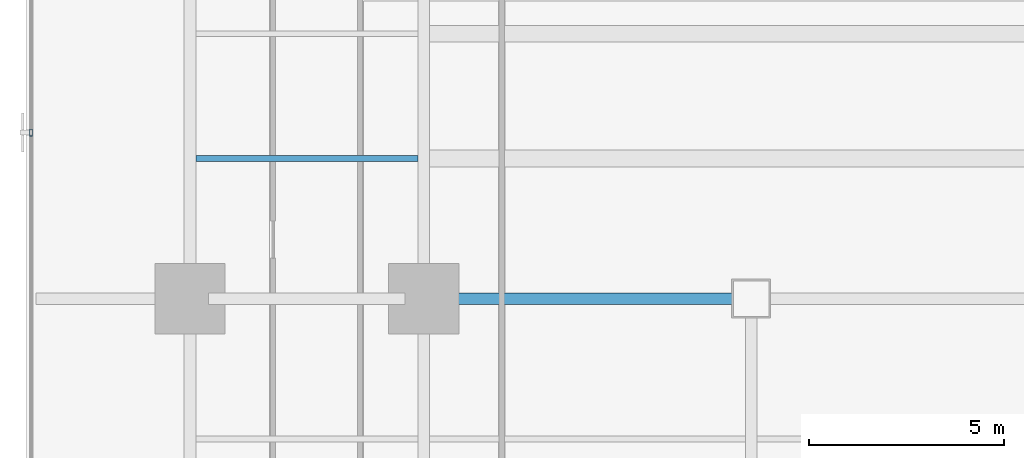
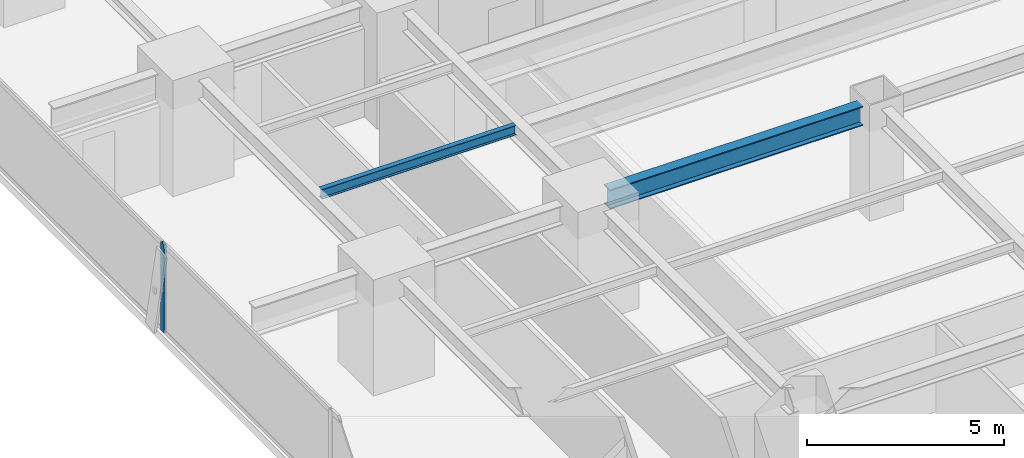
# One storey, part 9 of 34: 2 beams, 1 member, 1 element without a shape of its own.
"""IFC4 building model written with IfcOpenShell, lengths in metres."""

import ifcopenshell
import ifcopenshell.guid

model = None  # the IFC model being written
_history = None  # IfcOwnerHistory: only IFC2X3 demands one
_inside = {}  # id of a spatial element -> (the spatial element, [elements in it])
_under = {}  # id of a project, library or spatial element -> (it, [spatial elements below it])
_declared = {}  # id of a project -> (the project, [libraries it declares])
_typed = {}  # id of a type object -> (the type object, [elements of that type])
_made_of = {}  # id of a material, layer set ... -> (it, [elements and type objects made of it])


def new_model(schema):
    """Start an empty IFC model of exactly this schema.

    Asked for "IFC4X3", IfcOpenShell would pick the latest addendum, in which some entities
    have other attributes; the version numbers below select the first issue.
    IFC2X3 requires an IfcOwnerHistory on every rooted entity: one is made here for all.
    """
    global model, _history
    if schema == "IFC4X3":
        model = ifcopenshell.file(schema_version=(4, 3, 0, 0))
    else:
        model = ifcopenshell.file(schema=schema)
    _inside.clear()
    _under.clear()
    _declared.clear()
    _typed.clear()
    _made_of.clear()
    _history = None
    if model.schema == "IFC2X3":
        org = make("IfcOrganization", Name="unknown")
        user = make(
            "IfcPersonAndOrganization",
            ThePerson=make("IfcPerson", FamilyName="unknown"),
            TheOrganization=org,
        )
        app = make(
            "IfcApplication",
            ApplicationDeveloper=org,
            Version="unknown",
            ApplicationFullName="unknown",
            ApplicationIdentifier="unknown",
        )
        _history = make(
            "IfcOwnerHistory",
            OwningUser=user,
            OwningApplication=app,
            ChangeAction="ADDED",
            CreationDate=0,
        )
    return model


def make(cls, **values):
    """One entity of the class cls with the attributes given. An attribute that is None is left unset."""
    return model.create_entity(
        cls, **{name: value for name, value in values.items() if value is not None}
    )


def rooted(cls, **values):
    """An entity with a GlobalId (a new one), such as an element, a storey or a relation."""
    return make(cls, GlobalId=ifcopenshell.guid.new(), OwnerHistory=_history, **values)


def si_unit(unit_type, name, prefix=None):
    """IfcSIUnit, for example si_unit("LENGTHUNIT", "METRE", prefix="MILLI")."""
    return make("IfcSIUnit", UnitType=unit_type, Prefix=prefix, Name=name)


def assignment(units):
    """IfcUnitAssignment: the units of a project."""
    return None if units is None else make("IfcUnitAssignment", Units=units)


def point(xyz):
    """IfcCartesianPoint."""
    return None if xyz is None else make("IfcCartesianPoint", Coordinates=xyz)


def direction(xyz):
    """IfcDirection."""
    return None if xyz is None else make("IfcDirection", DirectionRatios=xyz)


def frame(location, z_axis=None, x_axis=None):
    """IfcAxis2Placement3D, a coordinate frame: its origin and axes. An axis left out is left unset."""
    return make(
        "IfcAxis2Placement3D",
        Location=point(location),
        Axis=direction(z_axis),
        RefDirection=direction(x_axis),
    )


def frame_2d(location, x_axis=None):
    """IfcAxis2Placement2D, a coordinate frame in the plane: its origin and x axis."""
    return make(
        "IfcAxis2Placement2D", Location=point(location), RefDirection=direction(x_axis)
    )


def origin():
    """The frame at (0, 0, 0) with its axes left unset."""
    return frame((0.0, 0.0, 0.0))


def origin_2d():
    """The frame at (0, 0) in the plane with its x axis left unset."""
    return frame_2d((0.0, 0.0))


def place(relative_to, where):
    """IfcLocalPlacement: puts the frame where relative to a parent placement (None: the world)."""
    return make(
        "IfcLocalPlacement", PlacementRelTo=relative_to, RelativePlacement=where
    )


def context(
    kind, dimensions, precision=None, world=None, true_north=None, identifier=None
):
    """IfcGeometricRepresentationContext, for example the 3D "Model" context."""
    return make(
        "IfcGeometricRepresentationContext",
        ContextIdentifier=identifier,
        ContextType=kind,
        CoordinateSpaceDimension=dimensions,
        Precision=precision,
        WorldCoordinateSystem=world,
        TrueNorth=true_north,
    )


def subcontext(parent, identifier, kind, view, scale=None):
    """IfcGeometricRepresentationSubContext, for example "Body" below "Model"."""
    return make(
        "IfcGeometricRepresentationSubContext",
        ContextIdentifier=identifier,
        ContextType=kind,
        ParentContext=parent,
        TargetScale=scale,
        TargetView=view,
    )


def project(units=None, contexts=None):
    """IfcProject with its units and contexts."""
    return rooted(
        "IfcProject",
        Name="project",
        RepresentationContexts=contexts,
        UnitsInContext=assignment(units),
    )


def spatial(cls, under=None, at=None, **own):
    """A site, building, storey or space (cls), placed at a placement, below another one or the project."""
    s = rooted(cls, ObjectPlacement=at, **own)
    if under is not None:
        _under.setdefault(under.id(), (under, []))[1].append(s)
    return s


def profile(cls, at=None, kind="AREA", **sizes):
    """A parametric profile (cls). Its sizes go by their IFC names, for example OverallWidth=200.0."""
    return make(cls, ProfileType=kind, Position=at, **sizes)


def hollow_rectangle(**sizes):
    """IfcRectangleHollowProfileDef."""
    return profile("IfcRectangleHollowProfileDef", **sizes)


def i_section(**sizes):
    """IfcIShapeProfileDef."""
    return profile("IfcIShapeProfileDef", **sizes)


def extrude(swept, where, along, depth):
    """IfcExtrudedAreaSolid: the profile swept, set in the frame where, extruded along a direction by depth."""
    return make(
        "IfcExtrudedAreaSolid",
        SweptArea=swept,
        Position=where,
        ExtrudedDirection=direction(along),
        Depth=depth,
    )


def shape(context_of_items, identifier, shape_type, items):
    """IfcShapeRepresentation: the items that make up one representation, for example the "Body"."""
    return make(
        "IfcShapeRepresentation",
        ContextOfItems=context_of_items,
        RepresentationIdentifier=identifier,
        RepresentationType=shape_type,
        Items=items,
    )


def source(mapping_origin, context_of_items, identifier, shape_type, items):
    """IfcRepresentationMap: a shape defined once, which mapped items show again and again."""
    return make(
        "IfcRepresentationMap",
        MappingOrigin=mapping_origin,
        MappedRepresentation=shape(context_of_items, identifier, shape_type, items),
    )


def transform(
    local_origin,
    x_axis=None,
    y_axis=None,
    z_axis=None,
    scale=None,
    scale2=None,
    scale3=None,
    uniform=True,
):
    """IfcCartesianTransformationOperator3D, or its non-uniform kind. x_axis, y_axis, z_axis: its Axis1, 2, 3."""
    if uniform:
        return make(
            "IfcCartesianTransformationOperator3D",
            Axis1=direction(x_axis),
            Axis2=direction(y_axis),
            LocalOrigin=point(local_origin),
            Scale=scale,
            Axis3=direction(z_axis),
        )
    return make(
        "IfcCartesianTransformationOperator3DnonUniform",
        Axis1=direction(x_axis),
        Axis2=direction(y_axis),
        LocalOrigin=point(local_origin),
        Scale=scale,
        Axis3=direction(z_axis),
        Scale2=scale2,
        Scale3=scale3,
    )


def mapped(mapping_source, mapping_target):
    """IfcMappedItem: shows the shape of a source again, moved by a transform."""
    return make(
        "IfcMappedItem", MappingSource=mapping_source, MappingTarget=mapping_target
    )


def material(Name=None, Category=None):
    """IfcMaterial."""
    return make("IfcMaterial", Name=Name, Category=Category)


def layer(
    of_material, thickness, ventilated=None, Name=None, Category=None, Priority=None
):
    """IfcMaterialLayer: one layer of a wall or slab, of a material (None: an air gap)."""
    return make(
        "IfcMaterialLayer",
        Material=of_material,
        LayerThickness=thickness,
        IsVentilated=ventilated,
        Name=Name,
        Category=Category,
        Priority=Priority,
    )


def layer_set(layers, Name=None):
    """IfcMaterialLayerSet."""
    return make("IfcMaterialLayerSet", MaterialLayers=layers, LayerSetName=Name)


def material_profile(
    of_material, cross_section, Name=None, Category=None, Priority=None
):
    """IfcMaterialProfile: a cross section and its material."""
    return make(
        "IfcMaterialProfile",
        Name=Name,
        Material=of_material,
        Profile=cross_section,
        Priority=Priority,
        Category=Category,
    )


def profile_set(profiles, Name=None, composite=None):
    """IfcMaterialProfileSet."""
    return make(
        "IfcMaterialProfileSet",
        Name=Name,
        MaterialProfiles=profiles,
        CompositeProfile=composite,
    )


def made_of(thing, what):
    """Note that an element or type object is made of a material, layer set ...; save() writes the relation."""
    if what is not None:
        _made_of.setdefault(what.id(), (what, []))[1].append(thing)
    return thing


def type_object(cls, material=None, **own):
    """A type object (cls), such as IfcWallType, which elements share."""
    return made_of(rooted(cls, **own), material)


def element(
    cls,
    number,
    at=None,
    inside=None,
    cuts=None,
    type_object=None,
    material=None,
    context=None,
    identifier="Body",
    shape_type=None,
    held_by="IfcProductDefinitionShape",
    body=None,
    shapes=None,
    **own,
):
    """One element of the class cls, such as IfcWall. Its Tag is "e" and its number.

    at: its placement. inside: the storey or other place that contains it. cuts: it is an
    opening in that element (IfcRelVoidsElement). A single representation is given by context,
    identifier, shape_type and body (its items); several are given by shapes. held_by: the class
    of the entity that holds the representations. save() writes the other relations.
    """
    e = rooted(cls, Tag="e%d" % number, ObjectPlacement=at, **own)
    if body is not None:
        shapes = [shape(context, identifier, shape_type, body)]
    if shapes is not None:
        e.Representation = make(held_by, Representations=shapes)
    if inside is not None:
        _inside.setdefault(inside.id(), (inside, []))[1].append(e)
    if cuts is not None:
        rooted(
            "IfcRelVoidsElement", RelatingBuildingElement=cuts, RelatedOpeningElement=e
        )
    if type_object is not None:
        _typed.setdefault(type_object.id(), (type_object, []))[1].append(e)
    return made_of(e, material)


def aggregate(whole, parts):
    """IfcRelAggregates: a whole, such as a stair, and the parts it consists of."""
    return rooted("IfcRelAggregates", RelatingObject=whole, RelatedObjects=parts)


def save(model, path):
    """Write the relations noted so far, then the file.

    IfcRelAggregates (storeys below a building ...), IfcRelContainedInSpatialStructure (elements
    in a storey), IfcRelDefinesByType, IfcRelAssociatesMaterial and IfcRelDeclares: one each for
    every whole, place, type object, material and project.
    """
    for whole, parts in _under.values():
        aggregate(whole, parts)
    for where, things in _inside.values():
        rooted(
            "IfcRelContainedInSpatialStructure",
            RelatedElements=things,
            RelatingStructure=where,
        )
    for kind, things in _typed.values():
        rooted("IfcRelDefinesByType", RelatedObjects=things, RelatingType=kind)
    for what, things in _made_of.values():
        rooted("IfcRelAssociatesMaterial", RelatedObjects=things, RelatingMaterial=what)
    for by, libraries in _declared.values():
        rooted("IfcRelDeclares", RelatingContext=by, RelatedDefinitions=libraries)
    model.write(path)


model = new_model("IFC4")

# Units and contexts
model_context = context("Model", 3, precision=1e-05, world=origin(), true_north=direction((0.0, 1.0)))
body_context = subcontext(model_context, "Body", "Model", "MODEL_VIEW")
ifc_project = project(units=[si_unit("LENGTHUNIT", "METRE"), si_unit("AREAUNIT", "SQUARE_METRE"), si_unit("VOLUMEUNIT", "CUBIC_METRE"), si_unit("PLANEANGLEUNIT", "RADIAN"), si_unit("MASSUNIT", "GRAM", prefix="KILO")], contexts=[model_context])

# Site, building, storey
site_placement = place(None, origin())
site = spatial("IfcSite", under=ifc_project, at=site_placement, CompositionType="ELEMENT")
building_placement = place(site_placement, origin())
building = spatial("IfcBuilding", under=site, at=building_placement, Name="Sumidabori Civic Tower", CompositionType="ELEMENT")
storey_placement = place(building_placement, frame((0.0, 0.0, 34.39990234375)))
storey = spatial("IfcBuildingStorey", under=building, at=storey_placement, Name="L08", CompositionType="ELEMENT", Elevation=34.39990234375)

# Beams
ifc_material_1 = material(Name="Steel SN490", Category="steel")
ifc_material_profile_1 = material_profile(ifc_material_1, i_section(OverallWidth=0.300048828125, OverallDepth=0.60009765625, WebThickness=0.015380859375, FlangeThickness=0.030029296875, at=origin_2d()), Name="HE 600 B")
ifc_profile_set_1 = profile_set([ifc_material_profile_1], Name="Steel SN490")
beam_type_1 = type_object("IfcBeamType", Name="BM-GIRD-600", PredefinedType="BEAM", material=ifc_profile_set_1)
shared_shape_1 = source(origin(), body_context, "Body", "SweptSolid", [
    extrude(i_section(OverallWidth=0.300048828125, OverallDepth=0.60009765625, WebThickness=0.015380859375, FlangeThickness=0.030029296875, at=origin_2d()), origin(), (0.0, 0.0, 1.0), 7.440185546875),
])
beam_1_placement = place(storey_placement, frame((-16.320068359375, 0.0, 3.06005859375), z_axis=(1.0, 0.0, 0.0), x_axis=(0.0, 1.0, 0.0)))
element("IfcBeam", 1, at=beam_1_placement, inside=storey, type_object=beam_type_1, Name="Primary Girder L08 GX-14", PredefinedType="BEAM", context=body_context, shape_type="MappedRepresentation", body=[
    mapped(shared_shape_1, transform((0.0, 0.0, 0.0), x_axis=(1.0, 0.0, 0.0), y_axis=(0.0, 1.0, 0.0), z_axis=(0.0, 0.0, 1.0), scale=1.0)),
])
ifc_material_profile_2 = material_profile(ifc_material_1, i_section(OverallWidth=0.14990234375, OverallDepth=0.300048828125, WebThickness=0.007080078125, FlangeThickness=0.0107421875, at=origin_2d()), Name="IPE 300")
ifc_profile_set_2 = profile_set([ifc_material_profile_2], Name="Steel SN490")
beam_type_2 = type_object("IfcBeamType", Name="BM-JST-300", PredefinedType="JOIST", material=ifc_profile_set_2)
shared_shape_2 = source(origin(), body_context, "Body", "SweptSolid", [
    extrude(i_section(OverallWidth=0.14990234375, OverallDepth=0.300048828125, WebThickness=0.007080078125, FlangeThickness=0.0107421875, at=origin_2d()), origin(), (0.0, 0.0, 1.0), 5.699951171875),
])
beam_2_placement = place(storey_placement, frame((-22.64990234375, 3.60009765625, 3.210205078125), z_axis=(1.0, 0.0, 0.0), x_axis=(0.0, 1.0, 0.0)))
element("IfcBeam", 2, at=beam_2_placement, inside=storey, type_object=beam_type_2, Name="Outer Bay Floor Joist L08 JSTO-53", PredefinedType="JOIST", context=body_context, shape_type="MappedRepresentation", body=[
    mapped(shared_shape_2, transform((0.0, 0.0, 0.0), x_axis=(1.0, 0.0, 0.0), y_axis=(0.0, 1.0, 0.0), z_axis=(0.0, 0.0, 1.0), scale=1.0)),
])

# Curtain wall, member
ifc_material_2 = material(Name="Anodised Bronze Aluminium AW-6063-T6", Category="aluminium")
ifc_layer = layer(ifc_material_2, 0.179931640625, Name="Anodised Bronze Aluminium AW-6063-T6")
ifc_layer_set = layer_set([ifc_layer], Name="Anodised Bronze Aluminium AW-6063-T6")
curtain_wall_type = type_object("IfcCurtainWallType", Name="CW-SYS-2", PredefinedType="NOTDEFINED", material=ifc_layer_set)
curtain_wall_placement = place(storey_placement, origin())
curtain_wall = element("IfcCurtainWall", 3, at=curtain_wall_placement, inside=storey, type_object=curtain_wall_type, Name="Curtain Wall CW:L08:R10", PredefinedType="NOTDEFINED")
ifc_material_profile_3 = material_profile(ifc_material_2, hollow_rectangle(XDim=0.070068359375, YDim=0.179931640625, WallThickness=0.006103515625, at=origin_2d()), Name="ALU MULLION 180x70")
ifc_profile_set_3 = profile_set([ifc_material_profile_3], Name="Anodised Bronze Aluminium AW-6063-T6")
member_type = type_object("IfcMemberType", Name="CW-MUL-180", PredefinedType="MULLION", material=ifc_profile_set_3)
shared_shape_3 = source(origin(), body_context, "Body", "SweptSolid", [
    extrude(hollow_rectangle(XDim=0.070068359375, YDim=0.179931640625, WallThickness=0.006103515625, at=origin_2d()), origin(), (0.0, 0.0, 1.0), 2.739990234375),
])
member_placement = place(storey_placement, frame((-26.8798828125, 4.263916015625, 0.0), z_axis=(0.0, 0.0, 1.0), x_axis=(1.0, 0.0, 0.0)))
member = element("IfcMember", 4, at=member_placement, type_object=member_type, Name="CW-2 mullion 3", PredefinedType="MULLION", context=body_context, shape_type="MappedRepresentation", body=[
    mapped(shared_shape_3, transform((0.0, 0.0, 0.0), x_axis=(1.0, 0.0, 0.0), y_axis=(0.0, 1.0, 0.0), z_axis=(0.0, 0.0, 1.0), scale=1.0)),
])
aggregate(curtain_wall, [member])

save(model, "model.ifc")
